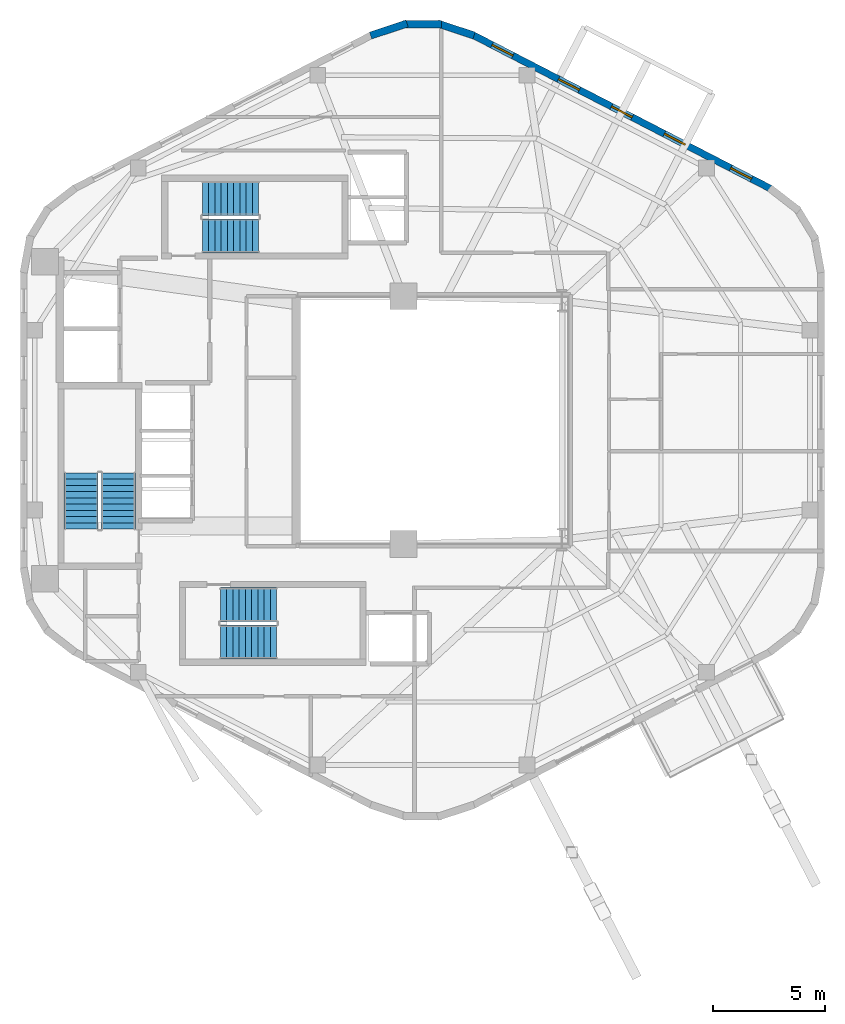
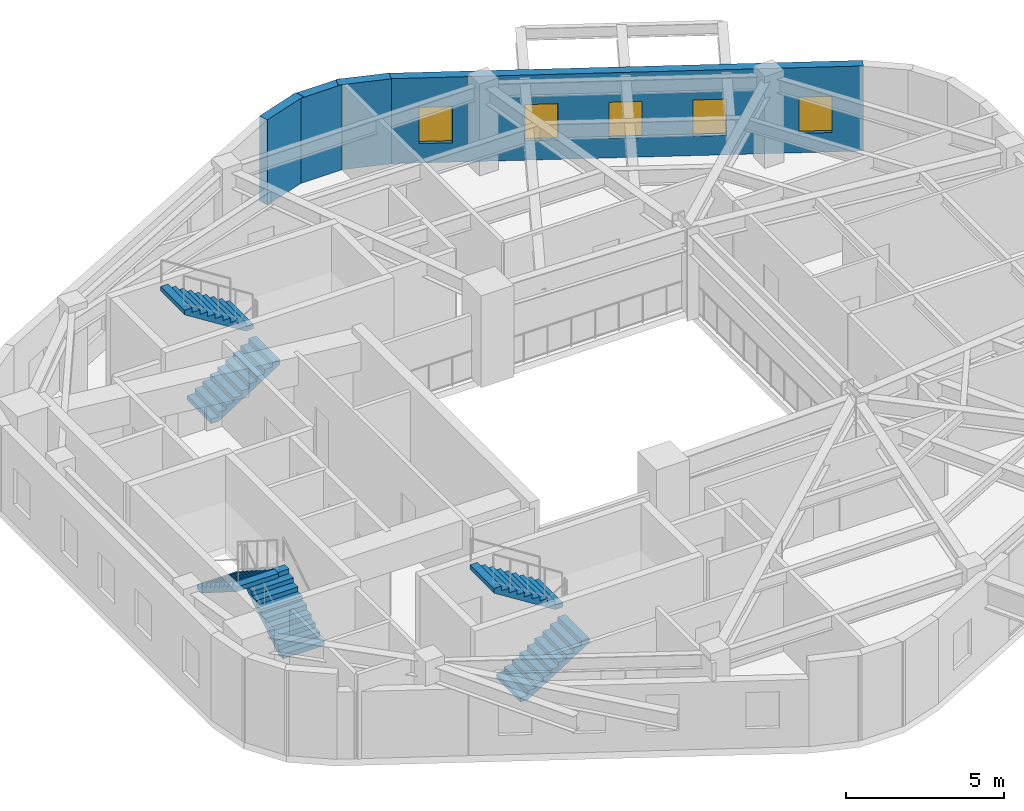
# One storey, part 9 of 10: 6 stair flights, 5 windows, 4 walls, 5 openings, 3 elements without a shape of their own.
"""IFC4 building model written with IfcOpenShell, lengths in metres."""

from ifc_helpers import new_model, si_unit, direction, frame, frame_2d, origin, place, context, subcontext, project, spatial, polyline, rectangle, outline, extrude, material, layer, layer_set, type_object, element, fill, aggregate, save


model = new_model("IFC4")

# Units and contexts
model_context = context("Model", 3, precision=1e-05, world=origin(), true_north=direction((0.0, 1.0)))
body_context = subcontext(model_context, "Body", "Model", "MODEL_VIEW")
ifc_project = project(units=[si_unit("LENGTHUNIT", "METRE"), si_unit("AREAUNIT", "SQUARE_METRE"), si_unit("VOLUMEUNIT", "CUBIC_METRE"), si_unit("PLANEANGLEUNIT", "RADIAN"), si_unit("MASSUNIT", "GRAM", prefix="KILO"), si_unit("THERMODYNAMICTEMPERATUREUNIT", "KELVIN"), si_unit("POWERUNIT", "WATT")], contexts=[model_context])

# Site, building, storey
site_placement = place(None, origin())
site = spatial("IfcSite", under=ifc_project, at=site_placement, CompositionType="ELEMENT")
building_placement = place(site_placement, origin())
building = spatial("IfcBuilding", under=site, at=building_placement, Name="Skarre Station Tower", CompositionType="ELEMENT")
storey_placement = place(building_placement, frame((0.0, 0.0, 224.14990234375)))
storey = spatial("IfcBuildingStorey", under=building, at=storey_placement, Name="L61", CompositionType="ELEMENT", Elevation=224.14990234375)

# Walls
ifc_material_1 = material(Name="Precast concrete C45/55", Category="concrete")
ifc_layer_1 = layer(ifc_material_1, 0.330078125, Name="Precast concrete C45/55")
ifc_layer_set_1 = layer_set([ifc_layer_1], Name="Precast concrete C45/55")
wall_type_1 = type_object("IfcWallType", Name="Nordic Rounded Corner Precast Wall 330", PredefinedType="STANDARD", material=ifc_layer_set_1)
wall_1_placement = place(storey_placement, frame((30.882080078125, 41.23095703125, 0.0), z_axis=(0.0, 0.0, 1.0), x_axis=(0.949713440491, 0.313120393699, 0.0)))
element("IfcWall", 1, at=wall_1_placement, inside=storey, type_object=wall_type_1, Name="L61 Rounded Corner Precast Wall F1-1", PredefinedType="STANDARD", context=body_context, shape_type="SweptSolid", body=[
    extrude(rectangle(XDim=1.7216796875, YDim=0.330078125, at=frame_2d((0.86083984375, 0.0))), origin(), (0.0, 0.0, 1.0), 3.2900390625),
])
wall_2_placement = place(storey_placement, frame((32.339111328125, 41.740966796875, 0.0), z_axis=(0.0, 0.0, 1.0), x_axis=(1.0, 0.0, 0.0)))
element("IfcWall", 2, at=wall_2_placement, inside=storey, type_object=wall_type_1, Name="L61 Rounded Corner Precast Wall F1-2", PredefinedType="STANDARD", context=body_context, shape_type="SweptSolid", body=[
    extrude(rectangle(XDim=1.721923828125, YDim=0.330078125, at=frame_2d((0.86083984375, 0.0))), origin(), (0.0, 0.0, 1.0), 3.2900390625),
])
wall_3_placement = place(storey_placement, frame((33.883056640625, 41.77001953125, 0.0), z_axis=(0.0, 0.0, 1.0), x_axis=(0.949713440491, -0.313120393699, 0.0)))
element("IfcWall", 3, at=wall_3_placement, inside=storey, type_object=wall_type_1, Name="L61 Rounded Corner Precast Wall F1-3", PredefinedType="STANDARD", context=body_context, shape_type="SweptSolid", body=[
    extrude(rectangle(XDim=1.7216796875, YDim=0.330078125, at=frame_2d((0.86083984375, 0.0))), origin(), (0.0, 0.0, 1.0), 3.2900390625),
])

# Wall, openings, windows
ifc_layer_2 = layer(ifc_material_1, 0.31005859375, Name="Precast concrete C45/55")
ifc_layer_set_2 = layer_set([ifc_layer_2], Name="Precast concrete C45/55")
wall_type_2 = type_object("IfcWallType", Name="Nordic Upper-Zone Precast Facet Wall 310", PredefinedType="STANDARD", material=ifc_layer_set_2)
wall_4_placement = place(storey_placement, frame((35.43701171875, 41.27001953125, 0.0), z_axis=(0.0, 0.0, 1.0), x_axis=(0.888581481622, -0.458718814218, 0.0)))
wall_4 = element("IfcWall", 4, at=wall_4_placement, inside=storey, type_object=wall_type_2, Name="L61 Facet 0 Nordic Precast Masonry Wall", PredefinedType="STANDARD", context=body_context, shape_type="SweptSolid", body=[
    extrude(rectangle(XDim=15.076904296875, YDim=0.31005859375, at=frame_2d((7.53857421875, 0.0))), origin(), (0.0, 0.0, 1.0), 3.2900390625),
])
opening_1_placement = place(wall_4_placement, frame((0.998046875, 0.0, 0.75)))
opening_1 = element("IfcOpeningElement", 5, at=opening_1_placement, cuts=wall_4, Name="Opening WN-SLT", PredefinedType="OPENING", context=body_context, shape_type="SweptSolid", body=[
    extrude(rectangle(XDim=1.050048828125, YDim=1.39990234375, at=frame_2d((0.52490234375, 0.699951171875))), frame((0.0, 0.1650390625, 0.0), z_axis=(0.0, -1.0, 0.0), x_axis=(1.0, 0.0, 0.0)), (0.0, 0.0, 1.0), 0.330078125),
])
opening_2_placement = place(wall_4_placement, frame((4.343994140625, 0.0, 0.75)))
opening_2 = element("IfcOpeningElement", 6, at=opening_2_placement, cuts=wall_4, Name="Opening WN-SLT", PredefinedType="OPENING", context=body_context, shape_type="SweptSolid", body=[
    extrude(rectangle(XDim=1.050048828125, YDim=1.39990234375, at=frame_2d((0.52490234375, 0.699951171875))), frame((0.0, 0.1650390625, 0.0), z_axis=(0.0, -1.0, 0.0), x_axis=(1.0, 0.0, 0.0)), (0.0, 0.0, 1.0), 0.330078125),
])
opening_3_placement = place(wall_4_placement, frame((7.012939453125, 0.0, 0.75)))
opening_3 = element("IfcOpeningElement", 7, at=opening_3_placement, cuts=wall_4, Name="Opening WN-SLT", PredefinedType="OPENING", context=body_context, shape_type="SweptSolid", body=[
    extrude(rectangle(XDim=1.050048828125, YDim=1.39990234375, at=frame_2d((0.52490234375, 0.699951171875))), frame((0.0, 0.1650390625, 0.0), z_axis=(0.0, -1.0, 0.0), x_axis=(1.0, 0.0, 0.0)), (0.0, 0.0, 1.0), 0.330078125),
])
opening_4_placement = place(wall_4_placement, frame((9.680908203125, 0.0, 0.75)))
opening_4 = element("IfcOpeningElement", 8, at=opening_4_placement, cuts=wall_4, Name="Opening WN-SLT", PredefinedType="OPENING", context=body_context, shape_type="SweptSolid", body=[
    extrude(rectangle(XDim=1.050048828125, YDim=1.39990234375, at=frame_2d((0.52490234375, 0.699951171875))), frame((0.0, 0.1650390625, 0.0), z_axis=(0.0, -1.0, 0.0), x_axis=(1.0, 0.0, 0.0)), (0.0, 0.0, 1.0), 0.330078125),
])
opening_5_placement = place(wall_4_placement, frame((13.029052734375, 0.0, 0.75)))
opening_5 = element("IfcOpeningElement", 9, at=opening_5_placement, cuts=wall_4, Name="Opening WN-SLT", PredefinedType="OPENING", context=body_context, shape_type="SweptSolid", body=[
    extrude(rectangle(XDim=1.050048828125, YDim=1.39990234375, at=frame_2d((0.52490234375, 0.699951171875))), frame((0.0, 0.1650390625, 0.0), z_axis=(0.0, -1.0, 0.0), x_axis=(1.0, 0.0, 0.0)), (0.0, 0.0, 1.0), 0.330078125),
])
ifc_material_2 = material(Name="Low-Iron Triple Glazing with Bronze Anodized Frame", Category="glass")
window_type = type_object("IfcWindowType", Name="Nordic Corner Slot Window 1050x1400", PartitioningType="SINGLE_PANEL", PredefinedType="WINDOW", material=ifc_material_2)
window_1_placement = place(opening_1_placement, origin())
window_1 = element("IfcWindow", 10, at=window_1_placement, inside=storey, type_object=window_type, Name="L61 Facade Window WL-FAC-L61-F0-1", OverallHeight=1.39990234375, OverallWidth=1.050048828125, PartitioningType="SINGLE_PANEL", PredefinedType="WINDOW", context=body_context, shape_type="SweptSolid", body=[
    extrude(rectangle(XDim=1.050048828125, YDim=1.39990234375, at=frame_2d((0.52490234375, 0.699951171875))), frame((0.0, 0.030029296875, 0.0), z_axis=(0.0, -1.0, 0.0), x_axis=(1.0, 0.0, 0.0)), (0.0, 0.0, 1.0), 0.06005859375),
])
fill(opening_1, window_1)
window_2_placement = place(opening_2_placement, origin())
window_2 = element("IfcWindow", 11, at=window_2_placement, inside=storey, type_object=window_type, Name="L61 Facade Window WL-FAC-L61-F0-2", OverallHeight=1.39990234375, OverallWidth=1.050048828125, PartitioningType="SINGLE_PANEL", PredefinedType="WINDOW", context=body_context, shape_type="SweptSolid", body=[
    extrude(rectangle(XDim=1.050048828125, YDim=1.39990234375, at=frame_2d((0.52490234375, 0.699951171875))), frame((0.0, 0.030029296875, 0.0), z_axis=(0.0, -1.0, 0.0), x_axis=(1.0, 0.0, 0.0)), (0.0, 0.0, 1.0), 0.06005859375),
])
fill(opening_2, window_2)
window_3_placement = place(opening_3_placement, origin())
window_3 = element("IfcWindow", 12, at=window_3_placement, inside=storey, type_object=window_type, Name="L61 Facade Window WL-FAC-L61-F0-3", OverallHeight=1.39990234375, OverallWidth=1.050048828125, PartitioningType="SINGLE_PANEL", PredefinedType="WINDOW", context=body_context, shape_type="SweptSolid", body=[
    extrude(rectangle(XDim=1.050048828125, YDim=1.39990234375, at=frame_2d((0.52490234375, 0.699951171875))), frame((0.0, 0.030029296875, 0.0), z_axis=(0.0, -1.0, 0.0), x_axis=(1.0, 0.0, 0.0)), (0.0, 0.0, 1.0), 0.06005859375),
])
fill(opening_3, window_3)
window_4_placement = place(opening_4_placement, origin())
window_4 = element("IfcWindow", 13, at=window_4_placement, inside=storey, type_object=window_type, Name="L61 Facade Window WL-FAC-L61-F0-4", OverallHeight=1.39990234375, OverallWidth=1.050048828125, PartitioningType="SINGLE_PANEL", PredefinedType="WINDOW", context=body_context, shape_type="SweptSolid", body=[
    extrude(rectangle(XDim=1.050048828125, YDim=1.39990234375, at=frame_2d((0.52490234375, 0.699951171875))), frame((0.0, 0.030029296875, 0.0), z_axis=(0.0, -1.0, 0.0), x_axis=(1.0, 0.0, 0.0)), (0.0, 0.0, 1.0), 0.06005859375),
])
fill(opening_4, window_4)
window_5_placement = place(opening_5_placement, origin())
window_5 = element("IfcWindow", 14, at=window_5_placement, inside=storey, type_object=window_type, Name="L61 Facade Window WL-FAC-L61-F0-5", OverallHeight=1.39990234375, OverallWidth=1.050048828125, PartitioningType="SINGLE_PANEL", PredefinedType="WINDOW", context=body_context, shape_type="SweptSolid", body=[
    extrude(rectangle(XDim=1.050048828125, YDim=1.39990234375, at=frame_2d((0.52490234375, 0.699951171875))), frame((0.0, 0.030029296875, 0.0), z_axis=(0.0, -1.0, 0.0), x_axis=(1.0, 0.0, 0.0)), (0.0, 0.0, 1.0), 0.06005859375),
])
fill(opening_5, window_5)

# Stair, stair flights
ifc_material_3 = material(Name="Concrete C40/50", Category="concrete")
stair_type_1 = type_object("IfcStairType", Name="Reinforced Concrete Exit Stair ST-1", PredefinedType="HALF_TURN_STAIR", material=ifc_material_3)
stair_1_placement = place(storey_placement, origin())
stair_1 = element("IfcStair", 15, at=stair_1_placement, inside=storey, type_object=stair_type_1, Name="L61 Core Exit Stair ST-1", PredefinedType="HALF_TURN_STAIR")
stair_flight_type_1 = type_object("IfcStairFlightType", Name="Reinforced Concrete Stair Flight ST-1", PredefinedType="STRAIGHT", material=ifc_material_3)
stair_flight_1_placement = place(storey_placement, frame((19.590087890625, 19.1201171875, 0.0), z_axis=(0.0, 0.0, 1.0), x_axis=(0.0, 1.0, 0.0)))
stair_flight_1 = element("IfcStairFlight", 16, at=stair_flight_1_placement, type_object=stair_flight_type_1, Name="ST-1 flight 1", NumberOfRisers=10, NumberOfTreads=9, PredefinedType="STRAIGHT", RiserHeight=0.1775, TreadLength=0.28, context=body_context, shape_type="SweptSolid", body=[
    extrude(outline(polyline([(0.0, 0.0), (0.0, 0.177490234375), (0.280029296875, 0.177490234375), (0.280029296875, 0.35498046875), (0.56005859375, 0.35498046875), (0.56005859375, 0.532470703125), (0.840087890625, 0.532470703125), (0.840087890625, 0.7099609375), (1.1201171875, 0.7099609375), (1.1201171875, 0.887451171875), (1.39990234375, 0.887451171875), (1.39990234375, 1.06494140625), (1.679931640625, 1.06494140625), (1.679931640625, 1.242431640625), (1.9599609375, 1.242431640625), (1.9599609375, 1.419921875), (2.239990234375, 1.419921875), (2.239990234375, 1.597412109375), (2.52001953125, 1.597412109375), (2.52001953125, 1.77490234375), (2.52001953125, 1.419921875), (0.280029296875, 0.0), (0.0, 0.0)])), frame((0.0, 0.760009765625, 0.0), z_axis=(0.0, -1.0, 0.0), x_axis=(1.0, 0.0, 0.0)), (0.0, 0.0, 1.0), 1.52001953125),
])
stair_flight_2_placement = place(storey_placement, frame((17.909912109375, 21.639892578125, 1.775146484375), z_axis=(0.0, 0.0, 1.0), x_axis=(0.0, -1.0, 0.0)))
stair_flight_2 = element("IfcStairFlight", 17, at=stair_flight_2_placement, type_object=stair_flight_type_1, Name="ST-1 flight 2", NumberOfRisers=10, NumberOfTreads=9, PredefinedType="STRAIGHT", RiserHeight=0.1775, TreadLength=0.28, context=body_context, shape_type="SweptSolid", body=[
    extrude(outline(polyline([(0.0, 0.0), (0.0, 0.177490234375), (0.280029296875, 0.177490234375), (0.280029296875, 0.35498046875), (0.56005859375, 0.35498046875), (0.56005859375, 0.532470703125), (0.840087890625, 0.532470703125), (0.840087890625, 0.7099609375), (1.1201171875, 0.7099609375), (1.1201171875, 0.887451171875), (1.39990234375, 0.887451171875), (1.39990234375, 1.06494140625), (1.679931640625, 1.06494140625), (1.679931640625, 1.242431640625), (1.9599609375, 1.242431640625), (1.9599609375, 1.419921875), (2.239990234375, 1.419921875), (2.239990234375, 1.597412109375), (2.52001953125, 1.597412109375), (2.52001953125, 1.77490234375), (2.52001953125, 1.419921875), (0.280029296875, 0.0), (0.0, 0.0)])), frame((0.0, 0.760009765625, 0.0), z_axis=(0.0, -1.0, 0.0), x_axis=(1.0, 0.0, 0.0)), (0.0, 0.0, 1.0), 1.52001953125),
])
aggregate(stair_1, [stair_flight_1, stair_flight_2])

stair_type_2 = type_object("IfcStairType", Name="Reinforced Concrete Exit Stair ST-2", PredefinedType="HALF_TURN_STAIR", material=ifc_material_3)
stair_2_placement = place(storey_placement, origin())
stair_2 = element("IfcStair", 18, at=stair_2_placement, inside=storey, type_object=stair_type_2, Name="L61 Core Exit Stair ST-2", PredefinedType="HALF_TURN_STAIR")
stair_flight_type_2 = type_object("IfcStairFlightType", Name="Reinforced Concrete Stair Flight ST-2", PredefinedType="STRAIGHT", material=ifc_material_3)
stair_flight_3_placement = place(storey_placement, frame((24.14990234375, 14.06005859375, 0.0), z_axis=(0.0, 0.0, 1.0), x_axis=(1.0, 0.0, 0.0)))
stair_flight_3 = element("IfcStairFlight", 19, at=stair_flight_3_placement, type_object=stair_flight_type_2, Name="ST-2 flight 1", NumberOfRisers=10, NumberOfTreads=9, PredefinedType="STRAIGHT", RiserHeight=0.1775, TreadLength=0.28, context=body_context, shape_type="SweptSolid", body=[
    extrude(outline(polyline([(0.0, 0.0), (0.0, 0.177490234375), (0.280029296875, 0.177490234375), (0.280029296875, 0.35498046875), (0.56005859375, 0.35498046875), (0.56005859375, 0.532470703125), (0.840087890625, 0.532470703125), (0.840087890625, 0.7099609375), (1.1201171875, 0.7099609375), (1.1201171875, 0.887451171875), (1.39990234375, 0.887451171875), (1.39990234375, 1.06494140625), (1.679931640625, 1.06494140625), (1.679931640625, 1.242431640625), (1.9599609375, 1.242431640625), (1.9599609375, 1.419921875), (2.239990234375, 1.419921875), (2.239990234375, 1.597412109375), (2.52001953125, 1.597412109375), (2.52001953125, 1.77490234375), (2.52001953125, 1.419921875), (0.280029296875, 0.0), (0.0, 0.0)])), frame((0.0, 0.760009765625, 0.0), z_axis=(0.0, -1.0, 0.0), x_axis=(1.0, 0.0, 0.0)), (0.0, 0.0, 1.0), 1.52001953125),
])
stair_flight_4_placement = place(storey_placement, frame((26.669921875, 15.739990234375, 1.775146484375), z_axis=(0.0, 0.0, 1.0), x_axis=(-1.0, 0.0, 0.0)))
stair_flight_4 = element("IfcStairFlight", 20, at=stair_flight_4_placement, type_object=stair_flight_type_2, Name="ST-2 flight 2", NumberOfRisers=10, NumberOfTreads=9, PredefinedType="STRAIGHT", RiserHeight=0.1775, TreadLength=0.28, context=body_context, shape_type="SweptSolid", body=[
    extrude(outline(polyline([(0.0, 0.0), (0.0, 0.177490234375), (0.280029296875, 0.177490234375), (0.280029296875, 0.35498046875), (0.56005859375, 0.35498046875), (0.56005859375, 0.532470703125), (0.840087890625, 0.532470703125), (0.840087890625, 0.7099609375), (1.1201171875, 0.7099609375), (1.1201171875, 0.887451171875), (1.39990234375, 0.887451171875), (1.39990234375, 1.06494140625), (1.679931640625, 1.06494140625), (1.679931640625, 1.242431640625), (1.9599609375, 1.242431640625), (1.9599609375, 1.419921875), (2.239990234375, 1.419921875), (2.239990234375, 1.597412109375), (2.52001953125, 1.597412109375), (2.52001953125, 1.77490234375), (2.52001953125, 1.419921875), (0.280029296875, 0.0), (0.0, 0.0)])), frame((0.0, 0.760009765625, 0.0), z_axis=(0.0, -1.0, 0.0), x_axis=(1.0, 0.0, 0.0)), (0.0, 0.0, 1.0), 1.52001953125),
])
aggregate(stair_2, [stair_flight_3, stair_flight_4])

stair_type_3 = type_object("IfcStairType", Name="Reinforced Concrete Exit Stair ST-3", PredefinedType="HALF_TURN_STAIR", material=ifc_material_3)
stair_3_placement = place(storey_placement, origin())
stair_3 = element("IfcStair", 21, at=stair_3_placement, inside=storey, type_object=stair_type_3, Name="L61 Core Exit Stair ST-3", PredefinedType="HALF_TURN_STAIR")
stair_flight_type_3 = type_object("IfcStairFlightType", Name="Reinforced Concrete Stair Flight ST-3", PredefinedType="STRAIGHT", material=ifc_material_3)
stair_flight_5_placement = place(storey_placement, frame((23.35009765625, 32.260009765625, 0.0), z_axis=(0.0, 0.0, 1.0), x_axis=(1.0, 0.0, 0.0)))
stair_flight_5 = element("IfcStairFlight", 22, at=stair_flight_5_placement, type_object=stair_flight_type_3, Name="ST-3 flight 1", NumberOfRisers=10, NumberOfTreads=9, PredefinedType="STRAIGHT", RiserHeight=0.1775, TreadLength=0.28, context=body_context, shape_type="SweptSolid", body=[
    extrude(outline(polyline([(0.0, 0.0), (0.0, 0.177490234375), (0.280029296875, 0.177490234375), (0.280029296875, 0.35498046875), (0.56005859375, 0.35498046875), (0.56005859375, 0.532470703125), (0.840087890625, 0.532470703125), (0.840087890625, 0.7099609375), (1.1201171875, 0.7099609375), (1.1201171875, 0.887451171875), (1.39990234375, 0.887451171875), (1.39990234375, 1.06494140625), (1.679931640625, 1.06494140625), (1.679931640625, 1.242431640625), (1.9599609375, 1.242431640625), (1.9599609375, 1.419921875), (2.239990234375, 1.419921875), (2.239990234375, 1.597412109375), (2.52001953125, 1.597412109375), (2.52001953125, 1.77490234375), (2.52001953125, 1.419921875), (0.280029296875, 0.0), (0.0, 0.0)])), frame((0.0, 0.760009765625, 0.0), z_axis=(0.0, -1.0, 0.0), x_axis=(1.0, 0.0, 0.0)), (0.0, 0.0, 1.0), 1.52001953125),
])
stair_flight_6_placement = place(storey_placement, frame((25.8701171875, 33.93994140625, 1.775146484375), z_axis=(0.0, 0.0, 1.0), x_axis=(-1.0, 0.0, 0.0)))
stair_flight_6 = element("IfcStairFlight", 23, at=stair_flight_6_placement, type_object=stair_flight_type_3, Name="ST-3 flight 2", NumberOfRisers=10, NumberOfTreads=9, PredefinedType="STRAIGHT", RiserHeight=0.1775, TreadLength=0.28, context=body_context, shape_type="SweptSolid", body=[
    extrude(outline(polyline([(0.0, 0.0), (0.0, 0.177490234375), (0.280029296875, 0.177490234375), (0.280029296875, 0.35498046875), (0.56005859375, 0.35498046875), (0.56005859375, 0.532470703125), (0.840087890625, 0.532470703125), (0.840087890625, 0.7099609375), (1.1201171875, 0.7099609375), (1.1201171875, 0.887451171875), (1.39990234375, 0.887451171875), (1.39990234375, 1.06494140625), (1.679931640625, 1.06494140625), (1.679931640625, 1.242431640625), (1.9599609375, 1.242431640625), (1.9599609375, 1.419921875), (2.239990234375, 1.419921875), (2.239990234375, 1.597412109375), (2.52001953125, 1.597412109375), (2.52001953125, 1.77490234375), (2.52001953125, 1.419921875), (0.280029296875, 0.0), (0.0, 0.0)])), frame((0.0, 0.760009765625, 0.0), z_axis=(0.0, -1.0, 0.0), x_axis=(1.0, 0.0, 0.0)), (0.0, 0.0, 1.0), 1.52001953125),
])
aggregate(stair_3, [stair_flight_5, stair_flight_6])

save(model, "model.ifc")
